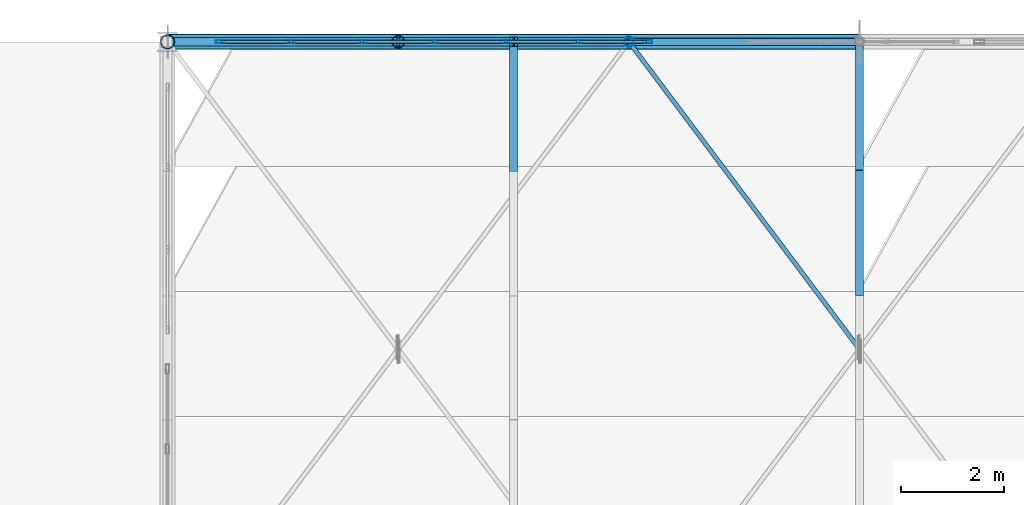
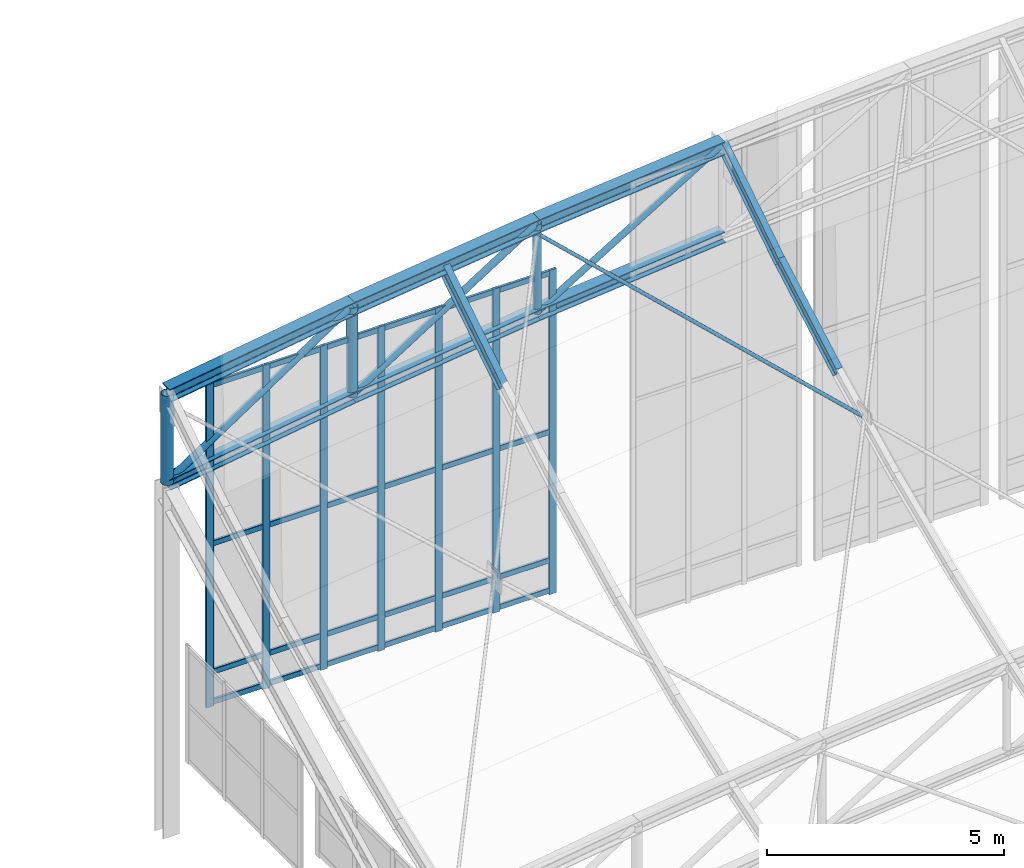
# One storey, part 187 of 262: 47 members, 1 element without a shape of its own.
"""IFC4 building model written with IfcOpenShell, lengths in metres."""

from ifc_helpers import new_model, si_unit, derived_unit, direction, frame, origin, origin_2d, place, context, subcontext, project, spatial, hollow_rectangle, hollow_circle, i_section, extrude, material, layer, layer_set, material_profile, profile_set, type_object, element, aggregate, save


model = new_model("IFC4")

# Units and contexts
model_context = context("Model", 3, precision=1e-05, world=origin(), true_north=direction((0.0, 1.0)))
body_context = subcontext(model_context, "Body", "Model", "MODEL_VIEW")
ifc_project = project(units=[si_unit("LENGTHUNIT", "METRE"), si_unit("AREAUNIT", "SQUARE_METRE"), si_unit("VOLUMEUNIT", "CUBIC_METRE"), si_unit("PLANEANGLEUNIT", "RADIAN"), si_unit("MASSUNIT", "GRAM", prefix="KILO"), derived_unit("THERMALTRANSMITTANCEUNIT", [(si_unit("POWERUNIT", "WATT"), 1), (si_unit("LENGTHUNIT", "METRE"), -2), (si_unit("THERMODYNAMICTEMPERATUREUNIT", "KELVIN"), -1)])], contexts=[model_context])

# Site, building, storey
site_placement = place(None, origin())
site = spatial("IfcSite", under=ifc_project, at=site_placement, CompositionType="ELEMENT")
building_placement = place(site_placement, origin())
building = spatial("IfcBuilding", under=site, at=building_placement, Name="Almenara Railside Exhibition Hall", CompositionType="ELEMENT")
storey_placement = place(building_placement, frame((0.0, 0.0, 21.699951171875)))
storey = spatial("IfcBuildingStorey", under=building, at=storey_placement, Name="RF", CompositionType="ELEMENT", Elevation=21.699951171875)

# Members
ifc_material_1 = material(Name="Structural steel S355JR", Category="steel")
ifc_material_profile_1 = material_profile(ifc_material_1, i_section(OverallWidth=0.280029296875, OverallDepth=0.280029296875, WebThickness=0.010498046875, FlangeThickness=0.01806640625, FilletRadius=0.02392578125, at=origin_2d()), Name="HEB 280")
ifc_profile_set_1 = profile_set([ifc_material_profile_1], Name="Structural steel S355JR")
member_type_1 = type_object("IfcMemberType", Name="Arched Gable Bottom Chord HEB 280 S355JR", PredefinedType="CHORD", material=ifc_profile_set_1)
member_1_placement = place(storey_placement, frame((12.0, 132.0, 6.60009765625), z_axis=(0.9890290442, 0.0, 0.147721189165), x_axis=(0.0, 1.0, 0.0)))
element("IfcMember", 1, at=member_1_placement, inside=storey, type_object=member_type_1, Name="MEM-BC-V1-07-00", PredefinedType="CHORD", context=body_context, shape_type="SweptSolid", body=[
    extrude(i_section(OverallWidth=0.280029296875, OverallDepth=0.280029296875, WebThickness=0.010498046875, FlangeThickness=0.01806640625, FilletRadius=0.02392578125, at=origin_2d()), origin(), (0.0, 0.0, 1.0), 4.5498046875),
])
member_2_placement = place(storey_placement, frame((16.5, 132.0, 7.272216796875), z_axis=(0.992612220818, 0.0, 0.121330041965), x_axis=(0.0, 1.0, 0.0)))
element("IfcMember", 2, at=member_2_placement, inside=storey, type_object=member_type_1, Name="MEM-BC-V1-07-01", PredefinedType="CHORD", context=body_context, shape_type="SweptSolid", body=[
    extrude(i_section(OverallWidth=0.280029296875, OverallDepth=0.280029296875, WebThickness=0.010498046875, FlangeThickness=0.01806640625, FilletRadius=0.02392578125, at=origin_2d()), origin(), (0.0, 0.0, 1.0), 4.533447265625),
])
member_3_placement = place(storey_placement, frame((21.0, 132.0, 7.822265625), z_axis=(0.995512933083, 0.0, 0.094625578275), x_axis=(0.0, 1.0, 0.0)))
element("IfcMember", 3, at=member_3_placement, inside=storey, type_object=member_type_1, Name="MEM-BC-V1-07-02", PredefinedType="CHORD", context=body_context, shape_type="SweptSolid", body=[
    extrude(i_section(OverallWidth=0.280029296875, OverallDepth=0.280029296875, WebThickness=0.010498046875, FlangeThickness=0.01806640625, FilletRadius=0.02392578125, at=origin_2d()), origin(), (0.0, 0.0, 1.0), 4.520263671875),
])
ifc_material_profile_2 = material_profile(ifc_material_1, i_section(OverallWidth=0.300048828125, OverallDepth=0.340087890625, WebThickness=0.011962890625, FlangeThickness=0.021484375, FilletRadius=0.027099609375, at=origin_2d()), Name="HEB 340")
ifc_profile_set_2 = profile_set([ifc_material_profile_2], Name="Structural steel S355JR")
member_type_2 = type_object("IfcMemberType", Name="Arched Gable Top Chord HEB 340 S355JR", PredefinedType="CHORD", material=ifc_profile_set_2)
member_4_placement = place(storey_placement, frame((12.0, 132.0, 8.900146484375), z_axis=(0.9890290442, 0.0, 0.147721189165), x_axis=(0.0, 1.0, 0.0)))
element("IfcMember", 4, at=member_4_placement, inside=storey, type_object=member_type_2, Name="MEM-TC-V1-07-00", PredefinedType="CHORD", context=body_context, shape_type="SweptSolid", body=[
    extrude(i_section(OverallWidth=0.300048828125, OverallDepth=0.340087890625, WebThickness=0.011962890625, FlangeThickness=0.021484375, FilletRadius=0.027099609375, at=origin_2d()), origin(), (0.0, 0.0, 1.0), 4.5498046875),
])
member_5_placement = place(storey_placement, frame((16.5, 132.0, 9.572265625), z_axis=(0.992612220818, 0.0, 0.121330041965), x_axis=(0.0, 1.0, 0.0)))
element("IfcMember", 5, at=member_5_placement, inside=storey, type_object=member_type_2, Name="MEM-TC-V1-07-01", PredefinedType="CHORD", context=body_context, shape_type="SweptSolid", body=[
    extrude(i_section(OverallWidth=0.300048828125, OverallDepth=0.340087890625, WebThickness=0.011962890625, FlangeThickness=0.021484375, FilletRadius=0.027099609375, at=origin_2d()), origin(), (0.0, 0.0, 1.0), 4.533447265625),
])
member_6_placement = place(storey_placement, frame((21.0, 132.0, 10.122314453125), z_axis=(0.995512933083, 0.0, 0.094625578275), x_axis=(0.0, 1.0, 0.0)))
element("IfcMember", 6, at=member_6_placement, inside=storey, type_object=member_type_2, Name="MEM-TC-V1-07-02", PredefinedType="CHORD", context=body_context, shape_type="SweptSolid", body=[
    extrude(i_section(OverallWidth=0.300048828125, OverallDepth=0.340087890625, WebThickness=0.011962890625, FlangeThickness=0.021484375, FilletRadius=0.027099609375, at=origin_2d()), origin(), (0.0, 0.0, 1.0), 4.520263671875),
])
ifc_material_profile_3 = material_profile(ifc_material_1, hollow_circle(Radius=0.04443359375, WallThickness=0.00390625, at=origin_2d()), Name="CHS 88.9x4")
ifc_profile_set_3 = profile_set([ifc_material_profile_3], Name="Structural steel S355JR")
member_type_3 = type_object("IfcMemberType", Name="Canopy Tie Brace CHS 88.9x4 S355JR", PredefinedType="BRACE", material=ifc_profile_set_3)
member_7_placement = place(storey_placement, frame((25.47265625, 126.03662109375, 7.19580078125), z_axis=(-0.565432778518, 0.7538897952, 0.334568303446), x_axis=(-0.799992139532, -0.600010480481, 0.0)))
element("IfcMember", 7, at=member_7_placement, inside=storey, type_object=member_type_3, Name="MEM-WB-V1-WB-CHS89-06-02-S2", PredefinedType="BRACE", context=body_context, shape_type="SweptSolid", body=[
    extrude(hollow_circle(Radius=0.04443359375, WallThickness=0.00390625, at=origin_2d()), origin(), (0.0, 0.0, 1.0), 7.91015625),
])

# Curtain wall, members
ifc_material_2 = material(Name="Bronze-anodised aluminium and low-E double glazing", Category="aluminium")
ifc_layer = layer(ifc_material_2, 0.179931640625, Name="Bronze-anodised aluminium and low-E double glazing")
ifc_layer_set = layer_set([ifc_layer], Name="Bronze-anodised aluminium and low-E double glazing")
curtain_wall_type = type_object("IfcCurtainWallType", Name="Scroll Gable Tall Curtain Wall 3800x5400", PredefinedType="NOTDEFINED", material=ifc_layer_set)
curtain_wall_placement = place(storey_placement, origin())
curtain_wall = element("IfcCurtainWall", 8, at=curtain_wall_placement, inside=storey, type_object=curtain_wall_type, Name="Curtain wall CW-G1-205", PredefinedType="NOTDEFINED")
ifc_material_3 = material(Name="Bronze-anodised aluminium", Category="aluminium")
ifc_material_profile_4 = material_profile(ifc_material_3, hollow_rectangle(XDim=0.06494140625, YDim=0.179931640625, WallThickness=0.00390625, InnerFilletRadius=0.00390625, OuterFilletRadius=0.008056640625, at=origin_2d()), Name="ALU-MUL 65x180x4")
ifc_profile_set_4 = profile_set([ifc_material_profile_4], Name="Bronze-anodised aluminium")
member_type_4 = type_object("IfcMemberType", Name="Curtain Wall Mullion 65x180x4", PredefinedType="MULLION", material=ifc_profile_set_4)
member_8_placement = place(storey_placement, frame((13.032470703125, 132.0, 0.465087890625), z_axis=(0.0, 0.0, 1.0), x_axis=(0.0, 1.0, 0.0)))
member_8 = element("IfcMember", 9, at=member_8_placement, type_object=member_type_4, Name="CW-G1-205 mullion 1", PredefinedType="MULLION", context=body_context, shape_type="SweptSolid", body=[
    extrude(hollow_rectangle(XDim=0.06494140625, YDim=0.179931640625, WallThickness=0.00390625, InnerFilletRadius=0.00390625, OuterFilletRadius=0.008056640625, at=origin_2d()), origin(), (0.0, 0.0, 1.0), 8.3349609375),
])
member_9_placement = place(storey_placement, frame((14.39990234375, 132.0, 0.465087890625), z_axis=(0.0, 0.0, 1.0), x_axis=(0.0, 1.0, 0.0)))
member_9 = element("IfcMember", 10, at=member_9_placement, type_object=member_type_4, Name="CW-G1-205 mullion 2", PredefinedType="MULLION", context=body_context, shape_type="SweptSolid", body=[
    extrude(hollow_rectangle(XDim=0.06494140625, YDim=0.179931640625, WallThickness=0.00390625, InnerFilletRadius=0.00390625, OuterFilletRadius=0.008056640625, at=origin_2d()), origin(), (0.0, 0.0, 1.0), 8.3349609375),
])
member_10_placement = place(storey_placement, frame((15.800048828125, 132.0, 0.465087890625), z_axis=(0.0, 0.0, 1.0), x_axis=(0.0, 1.0, 0.0)))
member_10 = element("IfcMember", 11, at=member_10_placement, type_object=member_type_4, Name="CW-G1-205 mullion 3", PredefinedType="MULLION", context=body_context, shape_type="SweptSolid", body=[
    extrude(hollow_rectangle(XDim=0.06494140625, YDim=0.179931640625, WallThickness=0.00390625, InnerFilletRadius=0.00390625, OuterFilletRadius=0.008056640625, at=origin_2d()), origin(), (0.0, 0.0, 1.0), 8.3349609375),
])
member_11_placement = place(storey_placement, frame((17.199951171875, 132.0, 0.465087890625), z_axis=(0.0, 0.0, 1.0), x_axis=(0.0, 1.0, 0.0)))
member_11 = element("IfcMember", 12, at=member_11_placement, type_object=member_type_4, Name="CW-G1-205 mullion 4", PredefinedType="MULLION", context=body_context, shape_type="SweptSolid", body=[
    extrude(hollow_rectangle(XDim=0.06494140625, YDim=0.179931640625, WallThickness=0.00390625, InnerFilletRadius=0.00390625, OuterFilletRadius=0.008056640625, at=origin_2d()), origin(), (0.0, 0.0, 1.0), 8.3349609375),
])
member_12_placement = place(storey_placement, frame((18.60009765625, 132.0, 0.465087890625), z_axis=(0.0, 0.0, 1.0), x_axis=(0.0, 1.0, 0.0)))
member_12 = element("IfcMember", 13, at=member_12_placement, type_object=member_type_4, Name="CW-G1-205 mullion 5", PredefinedType="MULLION", context=body_context, shape_type="SweptSolid", body=[
    extrude(hollow_rectangle(XDim=0.06494140625, YDim=0.179931640625, WallThickness=0.00390625, InnerFilletRadius=0.00390625, OuterFilletRadius=0.008056640625, at=origin_2d()), origin(), (0.0, 0.0, 1.0), 8.3349609375),
])
member_13_placement = place(storey_placement, frame((20.0, 132.0, 0.465087890625), z_axis=(0.0, 0.0, 1.0), x_axis=(0.0, 1.0, 0.0)))
member_13 = element("IfcMember", 14, at=member_13_placement, type_object=member_type_4, Name="CW-G1-205 mullion 6", PredefinedType="MULLION", context=body_context, shape_type="SweptSolid", body=[
    extrude(hollow_rectangle(XDim=0.06494140625, YDim=0.179931640625, WallThickness=0.00390625, InnerFilletRadius=0.00390625, OuterFilletRadius=0.008056640625, at=origin_2d()), origin(), (0.0, 0.0, 1.0), 8.3349609375),
])
member_14_placement = place(storey_placement, frame((21.367431640625, 132.0, 0.465087890625), z_axis=(0.0, 0.0, 1.0), x_axis=(0.0, 1.0, 0.0)))
member_14 = element("IfcMember", 15, at=member_14_placement, type_object=member_type_4, Name="CW-G1-205 mullion 7", PredefinedType="MULLION", context=body_context, shape_type="SweptSolid", body=[
    extrude(hollow_rectangle(XDim=0.06494140625, YDim=0.179931640625, WallThickness=0.00390625, InnerFilletRadius=0.00390625, OuterFilletRadius=0.008056640625, at=origin_2d()), origin(), (0.0, 0.0, 1.0), 8.3349609375),
])
ifc_material_profile_5 = material_profile(ifc_material_3, hollow_rectangle(XDim=0.06494140625, YDim=0.139892578125, WallThickness=0.00341796875, InnerFilletRadius=0.00341796875, OuterFilletRadius=0.007080078125, at=origin_2d()), Name="ALU-TRN 65x140x3.5")
ifc_profile_set_5 = profile_set([ifc_material_profile_5], Name="Bronze-anodised aluminium")
member_type_5 = type_object("IfcMemberType", Name="Curtain Wall Transom 65x140x3.5", PredefinedType="USERDEFINED", material=ifc_profile_set_5)
member_15_placement = place(storey_placement, frame((13.056884765625, 132.0, 0.570068359375), z_axis=(1.0, 0.0, 0.0), x_axis=(0.0, 1.0, 0.0)))
member_15 = element("IfcMember", 16, at=member_15_placement, type_object=member_type_5, Name="CW-G1-205 transom 1.1", ObjectType="TRANSOM", PredefinedType="USERDEFINED", context=body_context, shape_type="SweptSolid", body=[
    extrude(hollow_rectangle(XDim=0.06494140625, YDim=0.139892578125, WallThickness=0.00341796875, InnerFilletRadius=0.00341796875, OuterFilletRadius=0.007080078125, at=origin_2d()), origin(), (0.0, 0.0, 1.0), 1.318603515625),
])
member_16_placement = place(storey_placement, frame((13.056884765625, 132.0, 1.35009765625), z_axis=(1.0, 0.0, 0.0), x_axis=(0.0, 1.0, 0.0)))
member_16 = element("IfcMember", 17, at=member_16_placement, type_object=member_type_5, Name="CW-G1-205 transom 1.2", ObjectType="TRANSOM", PredefinedType="USERDEFINED", context=body_context, shape_type="SweptSolid", body=[
    extrude(hollow_rectangle(XDim=0.06494140625, YDim=0.139892578125, WallThickness=0.00341796875, InnerFilletRadius=0.00341796875, OuterFilletRadius=0.007080078125, at=origin_2d()), origin(), (0.0, 0.0, 1.0), 1.318603515625),
])
member_17_placement = place(storey_placement, frame((13.056884765625, 132.0, 4.650146484375), z_axis=(1.0, 0.0, 0.0), x_axis=(0.0, 1.0, 0.0)))
member_17 = element("IfcMember", 18, at=member_17_placement, type_object=member_type_5, Name="CW-G1-205 transom 1.3", ObjectType="TRANSOM", PredefinedType="USERDEFINED", context=body_context, shape_type="SweptSolid", body=[
    extrude(hollow_rectangle(XDim=0.06494140625, YDim=0.139892578125, WallThickness=0.00341796875, InnerFilletRadius=0.00341796875, OuterFilletRadius=0.007080078125, at=origin_2d()), origin(), (0.0, 0.0, 1.0), 1.318603515625),
])
member_18_placement = place(storey_placement, frame((13.056884765625, 132.0, 8.72998046875), z_axis=(1.0, 0.0, 0.0), x_axis=(0.0, 1.0, 0.0)))
member_18 = element("IfcMember", 19, at=member_18_placement, type_object=member_type_5, Name="CW-G1-205 transom 1.4", ObjectType="TRANSOM", PredefinedType="USERDEFINED", context=body_context, shape_type="SweptSolid", body=[
    extrude(hollow_rectangle(XDim=0.06494140625, YDim=0.139892578125, WallThickness=0.00341796875, InnerFilletRadius=0.00341796875, OuterFilletRadius=0.007080078125, at=origin_2d()), origin(), (0.0, 0.0, 1.0), 1.318603515625),
])
member_19_placement = place(storey_placement, frame((14.424560546875, 132.0, 0.570068359375), z_axis=(1.0, 0.0, 0.0), x_axis=(0.0, 1.0, 0.0)))
member_19 = element("IfcMember", 20, at=member_19_placement, type_object=member_type_5, Name="CW-G1-205 transom 2.1", ObjectType="TRANSOM", PredefinedType="USERDEFINED", context=body_context, shape_type="SweptSolid", body=[
    extrude(hollow_rectangle(XDim=0.06494140625, YDim=0.139892578125, WallThickness=0.00341796875, InnerFilletRadius=0.00341796875, OuterFilletRadius=0.007080078125, at=origin_2d()), origin(), (0.0, 0.0, 1.0), 1.350830078125),
])
member_20_placement = place(storey_placement, frame((14.424560546875, 132.0, 1.35009765625), z_axis=(1.0, 0.0, 0.0), x_axis=(0.0, 1.0, 0.0)))
member_20 = element("IfcMember", 21, at=member_20_placement, type_object=member_type_5, Name="CW-G1-205 transom 2.2", ObjectType="TRANSOM", PredefinedType="USERDEFINED", context=body_context, shape_type="SweptSolid", body=[
    extrude(hollow_rectangle(XDim=0.06494140625, YDim=0.139892578125, WallThickness=0.00341796875, InnerFilletRadius=0.00341796875, OuterFilletRadius=0.007080078125, at=origin_2d()), origin(), (0.0, 0.0, 1.0), 1.350830078125),
])
member_21_placement = place(storey_placement, frame((14.424560546875, 132.0, 4.650146484375), z_axis=(1.0, 0.0, 0.0), x_axis=(0.0, 1.0, 0.0)))
member_21 = element("IfcMember", 22, at=member_21_placement, type_object=member_type_5, Name="CW-G1-205 transom 2.3", ObjectType="TRANSOM", PredefinedType="USERDEFINED", context=body_context, shape_type="SweptSolid", body=[
    extrude(hollow_rectangle(XDim=0.06494140625, YDim=0.139892578125, WallThickness=0.00341796875, InnerFilletRadius=0.00341796875, OuterFilletRadius=0.007080078125, at=origin_2d()), origin(), (0.0, 0.0, 1.0), 1.350830078125),
])
member_22_placement = place(storey_placement, frame((14.424560546875, 132.0, 8.72998046875), z_axis=(1.0, 0.0, 0.0), x_axis=(0.0, 1.0, 0.0)))
member_22 = element("IfcMember", 23, at=member_22_placement, type_object=member_type_5, Name="CW-G1-205 transom 2.4", ObjectType="TRANSOM", PredefinedType="USERDEFINED", context=body_context, shape_type="SweptSolid", body=[
    extrude(hollow_rectangle(XDim=0.06494140625, YDim=0.139892578125, WallThickness=0.00341796875, InnerFilletRadius=0.00341796875, OuterFilletRadius=0.007080078125, at=origin_2d()), origin(), (0.0, 0.0, 1.0), 1.350830078125),
])
member_23_placement = place(storey_placement, frame((15.824462890625, 132.0, 0.570068359375), z_axis=(1.0, 0.0, 0.0), x_axis=(0.0, 1.0, 0.0)))
member_23 = element("IfcMember", 24, at=member_23_placement, type_object=member_type_5, Name="CW-G1-205 transom 3.1", ObjectType="TRANSOM", PredefinedType="USERDEFINED", context=body_context, shape_type="SweptSolid", body=[
    extrude(hollow_rectangle(XDim=0.06494140625, YDim=0.139892578125, WallThickness=0.00341796875, InnerFilletRadius=0.00341796875, OuterFilletRadius=0.007080078125, at=origin_2d()), origin(), (0.0, 0.0, 1.0), 1.35107421875),
])
member_24_placement = place(storey_placement, frame((15.824462890625, 132.0, 1.35009765625), z_axis=(1.0, 0.0, 0.0), x_axis=(0.0, 1.0, 0.0)))
member_24 = element("IfcMember", 25, at=member_24_placement, type_object=member_type_5, Name="CW-G1-205 transom 3.2", ObjectType="TRANSOM", PredefinedType="USERDEFINED", context=body_context, shape_type="SweptSolid", body=[
    extrude(hollow_rectangle(XDim=0.06494140625, YDim=0.139892578125, WallThickness=0.00341796875, InnerFilletRadius=0.00341796875, OuterFilletRadius=0.007080078125, at=origin_2d()), origin(), (0.0, 0.0, 1.0), 1.35107421875),
])
member_25_placement = place(storey_placement, frame((15.824462890625, 132.0, 4.650146484375), z_axis=(1.0, 0.0, 0.0), x_axis=(0.0, 1.0, 0.0)))
member_25 = element("IfcMember", 26, at=member_25_placement, type_object=member_type_5, Name="CW-G1-205 transom 3.3", ObjectType="TRANSOM", PredefinedType="USERDEFINED", context=body_context, shape_type="SweptSolid", body=[
    extrude(hollow_rectangle(XDim=0.06494140625, YDim=0.139892578125, WallThickness=0.00341796875, InnerFilletRadius=0.00341796875, OuterFilletRadius=0.007080078125, at=origin_2d()), origin(), (0.0, 0.0, 1.0), 1.35107421875),
])
member_26_placement = place(storey_placement, frame((15.824462890625, 132.0, 8.72998046875), z_axis=(1.0, 0.0, 0.0), x_axis=(0.0, 1.0, 0.0)))
member_26 = element("IfcMember", 27, at=member_26_placement, type_object=member_type_5, Name="CW-G1-205 transom 3.4", ObjectType="TRANSOM", PredefinedType="USERDEFINED", context=body_context, shape_type="SweptSolid", body=[
    extrude(hollow_rectangle(XDim=0.06494140625, YDim=0.139892578125, WallThickness=0.00341796875, InnerFilletRadius=0.00341796875, OuterFilletRadius=0.007080078125, at=origin_2d()), origin(), (0.0, 0.0, 1.0), 1.35107421875),
])
member_27_placement = place(storey_placement, frame((17.224609375, 132.0, 0.570068359375), z_axis=(1.0, 0.0, 0.0), x_axis=(0.0, 1.0, 0.0)))
member_27 = element("IfcMember", 28, at=member_27_placement, type_object=member_type_5, Name="CW-G1-205 transom 4.1", ObjectType="TRANSOM", PredefinedType="USERDEFINED", context=body_context, shape_type="SweptSolid", body=[
    extrude(hollow_rectangle(XDim=0.06494140625, YDim=0.139892578125, WallThickness=0.00341796875, InnerFilletRadius=0.00341796875, OuterFilletRadius=0.007080078125, at=origin_2d()), origin(), (0.0, 0.0, 1.0), 1.350830078125),
])
member_28_placement = place(storey_placement, frame((17.224609375, 132.0, 1.35009765625), z_axis=(1.0, 0.0, 0.0), x_axis=(0.0, 1.0, 0.0)))
member_28 = element("IfcMember", 29, at=member_28_placement, type_object=member_type_5, Name="CW-G1-205 transom 4.2", ObjectType="TRANSOM", PredefinedType="USERDEFINED", context=body_context, shape_type="SweptSolid", body=[
    extrude(hollow_rectangle(XDim=0.06494140625, YDim=0.139892578125, WallThickness=0.00341796875, InnerFilletRadius=0.00341796875, OuterFilletRadius=0.007080078125, at=origin_2d()), origin(), (0.0, 0.0, 1.0), 1.350830078125),
])
member_29_placement = place(storey_placement, frame((17.224609375, 132.0, 4.650146484375), z_axis=(1.0, 0.0, 0.0), x_axis=(0.0, 1.0, 0.0)))
member_29 = element("IfcMember", 30, at=member_29_placement, type_object=member_type_5, Name="CW-G1-205 transom 4.3", ObjectType="TRANSOM", PredefinedType="USERDEFINED", context=body_context, shape_type="SweptSolid", body=[
    extrude(hollow_rectangle(XDim=0.06494140625, YDim=0.139892578125, WallThickness=0.00341796875, InnerFilletRadius=0.00341796875, OuterFilletRadius=0.007080078125, at=origin_2d()), origin(), (0.0, 0.0, 1.0), 1.350830078125),
])
member_30_placement = place(storey_placement, frame((17.224609375, 132.0, 8.72998046875), z_axis=(1.0, 0.0, 0.0), x_axis=(0.0, 1.0, 0.0)))
member_30 = element("IfcMember", 31, at=member_30_placement, type_object=member_type_5, Name="CW-G1-205 transom 4.4", ObjectType="TRANSOM", PredefinedType="USERDEFINED", context=body_context, shape_type="SweptSolid", body=[
    extrude(hollow_rectangle(XDim=0.06494140625, YDim=0.139892578125, WallThickness=0.00341796875, InnerFilletRadius=0.00341796875, OuterFilletRadius=0.007080078125, at=origin_2d()), origin(), (0.0, 0.0, 1.0), 1.350830078125),
])
member_31_placement = place(storey_placement, frame((18.62451171875, 132.0, 0.570068359375), z_axis=(1.0, 0.0, 0.0), x_axis=(0.0, 1.0, 0.0)))
member_31 = element("IfcMember", 32, at=member_31_placement, type_object=member_type_5, Name="CW-G1-205 transom 5.1", ObjectType="TRANSOM", PredefinedType="USERDEFINED", context=body_context, shape_type="SweptSolid", body=[
    extrude(hollow_rectangle(XDim=0.06494140625, YDim=0.139892578125, WallThickness=0.00341796875, InnerFilletRadius=0.00341796875, OuterFilletRadius=0.007080078125, at=origin_2d()), origin(), (0.0, 0.0, 1.0), 1.35107421875),
])
member_32_placement = place(storey_placement, frame((18.62451171875, 132.0, 1.35009765625), z_axis=(1.0, 0.0, 0.0), x_axis=(0.0, 1.0, 0.0)))
member_32 = element("IfcMember", 33, at=member_32_placement, type_object=member_type_5, Name="CW-G1-205 transom 5.2", ObjectType="TRANSOM", PredefinedType="USERDEFINED", context=body_context, shape_type="SweptSolid", body=[
    extrude(hollow_rectangle(XDim=0.06494140625, YDim=0.139892578125, WallThickness=0.00341796875, InnerFilletRadius=0.00341796875, OuterFilletRadius=0.007080078125, at=origin_2d()), origin(), (0.0, 0.0, 1.0), 1.35107421875),
])
member_33_placement = place(storey_placement, frame((18.62451171875, 132.0, 4.650146484375), z_axis=(1.0, 0.0, 0.0), x_axis=(0.0, 1.0, 0.0)))
member_33 = element("IfcMember", 34, at=member_33_placement, type_object=member_type_5, Name="CW-G1-205 transom 5.3", ObjectType="TRANSOM", PredefinedType="USERDEFINED", context=body_context, shape_type="SweptSolid", body=[
    extrude(hollow_rectangle(XDim=0.06494140625, YDim=0.139892578125, WallThickness=0.00341796875, InnerFilletRadius=0.00341796875, OuterFilletRadius=0.007080078125, at=origin_2d()), origin(), (0.0, 0.0, 1.0), 1.35107421875),
])
member_34_placement = place(storey_placement, frame((18.62451171875, 132.0, 8.72998046875), z_axis=(1.0, 0.0, 0.0), x_axis=(0.0, 1.0, 0.0)))
member_34 = element("IfcMember", 35, at=member_34_placement, type_object=member_type_5, Name="CW-G1-205 transom 5.4", ObjectType="TRANSOM", PredefinedType="USERDEFINED", context=body_context, shape_type="SweptSolid", body=[
    extrude(hollow_rectangle(XDim=0.06494140625, YDim=0.139892578125, WallThickness=0.00341796875, InnerFilletRadius=0.00341796875, OuterFilletRadius=0.007080078125, at=origin_2d()), origin(), (0.0, 0.0, 1.0), 1.35107421875),
])
member_35_placement = place(storey_placement, frame((20.0244140625, 132.0, 0.570068359375), z_axis=(1.0, 0.0, 0.0), x_axis=(0.0, 1.0, 0.0)))
member_35 = element("IfcMember", 36, at=member_35_placement, type_object=member_type_5, Name="CW-G1-205 transom 6.1", ObjectType="TRANSOM", PredefinedType="USERDEFINED", context=body_context, shape_type="SweptSolid", body=[
    extrude(hollow_rectangle(XDim=0.06494140625, YDim=0.139892578125, WallThickness=0.00341796875, InnerFilletRadius=0.00341796875, OuterFilletRadius=0.007080078125, at=origin_2d()), origin(), (0.0, 0.0, 1.0), 1.318603515625),
])
member_36_placement = place(storey_placement, frame((20.0244140625, 132.0, 1.35009765625), z_axis=(1.0, 0.0, 0.0), x_axis=(0.0, 1.0, 0.0)))
member_36 = element("IfcMember", 37, at=member_36_placement, type_object=member_type_5, Name="CW-G1-205 transom 6.2", ObjectType="TRANSOM", PredefinedType="USERDEFINED", context=body_context, shape_type="SweptSolid", body=[
    extrude(hollow_rectangle(XDim=0.06494140625, YDim=0.139892578125, WallThickness=0.00341796875, InnerFilletRadius=0.00341796875, OuterFilletRadius=0.007080078125, at=origin_2d()), origin(), (0.0, 0.0, 1.0), 1.318603515625),
])
member_37_placement = place(storey_placement, frame((20.0244140625, 132.0, 4.650146484375), z_axis=(1.0, 0.0, 0.0), x_axis=(0.0, 1.0, 0.0)))
member_37 = element("IfcMember", 38, at=member_37_placement, type_object=member_type_5, Name="CW-G1-205 transom 6.3", ObjectType="TRANSOM", PredefinedType="USERDEFINED", context=body_context, shape_type="SweptSolid", body=[
    extrude(hollow_rectangle(XDim=0.06494140625, YDim=0.139892578125, WallThickness=0.00341796875, InnerFilletRadius=0.00341796875, OuterFilletRadius=0.007080078125, at=origin_2d()), origin(), (0.0, 0.0, 1.0), 1.318603515625),
])
member_38_placement = place(storey_placement, frame((20.0244140625, 132.0, 8.72998046875), z_axis=(1.0, 0.0, 0.0), x_axis=(0.0, 1.0, 0.0)))
member_38 = element("IfcMember", 39, at=member_38_placement, type_object=member_type_5, Name="CW-G1-205 transom 6.4", ObjectType="TRANSOM", PredefinedType="USERDEFINED", context=body_context, shape_type="SweptSolid", body=[
    extrude(hollow_rectangle(XDim=0.06494140625, YDim=0.139892578125, WallThickness=0.00341796875, InnerFilletRadius=0.00341796875, OuterFilletRadius=0.007080078125, at=origin_2d()), origin(), (0.0, 0.0, 1.0), 1.318603515625),
])
aggregate(curtain_wall, [member_8, member_9, member_10, member_11, member_12, member_13, member_14, member_15, member_16, member_17, member_18, member_19, member_20, member_21, member_22, member_23, member_24, member_25, member_26, member_27, member_28, member_29, member_30, member_31, member_32, member_33, member_34, member_35, member_36, member_37, member_38])

# Members
ifc_material_profile_6 = material_profile(ifc_material_1, i_section(OverallWidth=0.14990234375, OverallDepth=0.300048828125, WebThickness=0.007080078125, FlangeThickness=0.0107421875, FilletRadius=0.014892578125, at=origin_2d()), Name="IPE 300")
ifc_profile_set_6 = profile_set([ifc_material_profile_6], Name="Structural steel S355JR")
member_type_6 = type_object("IfcMemberType", Name="East Hall Ridge Purlin IPE 300 S355JR", PredefinedType="PURLIN", material=ifc_profile_set_6)
member_39_placement = place(storey_placement, frame((25.5, 127.126708984375, 7.66552734375), z_axis=(0.0, 0.870445855666, 0.492264169277), x_axis=(-1.0, 0.0, 0.0)))
element("IfcMember", 40, at=member_39_placement, inside=storey, type_object=member_type_6, Name="MEM-PR-V1-PR-IPE300-02-26", PredefinedType="PURLIN", context=body_context, shape_type="SweptSolid", body=[
    extrude(i_section(OverallWidth=0.14990234375, OverallDepth=0.300048828125, WebThickness=0.007080078125, FlangeThickness=0.0107421875, FilletRadius=0.014892578125, at=origin_2d()), origin(), (0.0, 0.0, 1.0), 2.799072265625),
])
member_40_placement = place(storey_placement, frame((25.5, 129.563232421875, 9.030517578125), z_axis=(0.0, 0.842226955435, 0.539123135785), x_axis=(-1.0, 0.0, 0.0)))
element("IfcMember", 41, at=member_40_placement, inside=storey, type_object=member_type_6, Name="MEM-PR-V1-PR-IPE300-02-27", PredefinedType="PURLIN", context=body_context, shape_type="SweptSolid", body=[
    extrude(i_section(OverallWidth=0.14990234375, OverallDepth=0.300048828125, WebThickness=0.007080078125, FlangeThickness=0.0107421875, FilletRadius=0.014892578125, at=origin_2d()), origin(), (0.0, 0.0, 1.0), 2.893310546875),
])
ifc_material_profile_7 = material_profile(ifc_material_1, i_section(OverallWidth=0.159912109375, OverallDepth=0.330078125, WebThickness=0.007568359375, FlangeThickness=0.011474609375, FilletRadius=0.01806640625, at=origin_2d()), Name="IPE 330")
ifc_profile_set_7 = profile_set([ifc_material_profile_7], Name="Structural steel S355JR")
member_type_7 = type_object("IfcMemberType", Name="Gable Bay Purlin IPE 330 S355JR", PredefinedType="PURLIN", material=ifc_profile_set_7)
member_41_placement = place(storey_placement, frame((18.75, 129.563232421875, 8.184326171875), z_axis=(0.0, 0.842265270347, 0.53906327492), x_axis=(-1.0, 0.0, 0.0)))
element("IfcMember", 42, at=member_41_placement, inside=storey, type_object=member_type_7, Name="MEM-PR-V1-PR-IPE330-01-27", PredefinedType="PURLIN", context=body_context, shape_type="SweptSolid", body=[
    extrude(i_section(OverallWidth=0.159912109375, OverallDepth=0.330078125, WebThickness=0.007568359375, FlangeThickness=0.011474609375, FilletRadius=0.01806640625, at=origin_2d()), origin(), (0.0, 0.0, 1.0), 2.89306640625),
])
ifc_material_profile_8 = material_profile(ifc_material_1, hollow_circle(Radius=0.084228515625, WallThickness=0.006103515625, at=origin_2d()), Name="CHS 168.3x6")
ifc_profile_set_8 = profile_set([ifc_material_profile_8], Name="Structural steel S355JR")
member_type_8 = type_object("IfcMemberType", Name="Truss End Diagonal CHS 168.3x6 S355JR", PredefinedType="BRACE", material=ifc_profile_set_8)
member_42_placement = place(storey_placement, frame((12.0, 132.0, 6.60009765625), z_axis=(0.834424544227, 0.0, 0.551122200598), x_axis=(0.0, 1.0, 0.0)))
element("IfcMember", 43, at=member_42_placement, inside=storey, type_object=member_type_8, Name="MEM-TD-V1-07-00", PredefinedType="BRACE", context=body_context, shape_type="SweptSolid", body=[
    extrude(hollow_circle(Radius=0.084228515625, WallThickness=0.006103515625, at=origin_2d()), origin(), (0.0, 0.0, 1.0), 5.392822265625),
])
member_43_placement = place(storey_placement, frame((16.5, 132.0, 7.272216796875), z_axis=(0.844810788273, 0.0, 0.535065166141), x_axis=(0.0, 1.0, 0.0)))
element("IfcMember", 44, at=member_43_placement, inside=storey, type_object=member_type_8, Name="MEM-TD-V1-07-01", PredefinedType="BRACE", context=body_context, shape_type="SweptSolid", body=[
    extrude(hollow_circle(Radius=0.084228515625, WallThickness=0.006103515625, at=origin_2d()), origin(), (0.0, 0.0, 1.0), 5.32666015625),
])
ifc_material_profile_9 = material_profile(ifc_material_1, hollow_circle(Radius=0.122314453125, WallThickness=0.008056640625, at=origin_2d()), Name="CHS 244.5x8")
ifc_profile_set_9 = profile_set([ifc_material_profile_9], Name="Structural steel S355JR")
member_type_9 = type_object("IfcMemberType", Name="Truss Haunch Vertical Strut CHS 244.5x8 S355JR", PredefinedType="BRACE", material=ifc_profile_set_9)
member_44_placement = place(storey_placement, frame((16.5, 132.0, 7.272216796875), z_axis=(0.0, 0.0, 1.0), x_axis=(1.0, 0.0, 0.0)))
element("IfcMember", 45, at=member_44_placement, inside=storey, type_object=member_type_9, Name="MEM-TV-V1-07-01", PredefinedType="BRACE", context=body_context, shape_type="SweptSolid", body=[
    extrude(hollow_circle(Radius=0.122314453125, WallThickness=0.008056640625, at=origin_2d()), origin(), (0.0, 0.0, 1.0), 2.300048828125),
])
ifc_material_profile_10 = material_profile(ifc_material_1, hollow_circle(Radius=0.076171875, WallThickness=0.0048828125, at=origin_2d()), Name="CHS 152.4x5")
ifc_profile_set_10 = profile_set([ifc_material_profile_10], Name="Structural steel S355JR")
member_type_10 = type_object("IfcMemberType", Name="Truss Mid Diagonal CHS 152.4x5 S355JR", PredefinedType="BRACE", material=ifc_profile_set_10)
member_45_placement = place(storey_placement, frame((21.0, 132.0, 7.822265625), z_axis=(0.855154829777, 0.0, 0.518372662386), x_axis=(0.0, 1.0, 0.0)))
element("IfcMember", 46, at=member_45_placement, inside=storey, type_object=member_type_10, Name="MEM-TD-V1-07-02", PredefinedType="BRACE", context=body_context, shape_type="SweptSolid", body=[
    extrude(hollow_circle(Radius=0.076171875, WallThickness=0.0048828125, at=origin_2d()), origin(), (0.0, 0.0, 1.0), 5.26220703125),
])
ifc_material_profile_11 = material_profile(ifc_material_1, hollow_circle(Radius=0.096923828125, WallThickness=0.00634765625, at=origin_2d()), Name="CHS 193.7x6.3")
ifc_profile_set_11 = profile_set([ifc_material_profile_11], Name="Structural steel S355JR")
member_type_11 = type_object("IfcMemberType", Name="Truss Standard Vertical Strut CHS 193.7x6.3 S355JR", PredefinedType="BRACE", material=ifc_profile_set_11)
member_46_placement = place(storey_placement, frame((21.0, 132.0, 7.822265625), z_axis=(0.0, 0.0, 1.0), x_axis=(1.0, 0.0, 0.0)))
element("IfcMember", 47, at=member_46_placement, inside=storey, type_object=member_type_11, Name="MEM-TV-V1-07-02", PredefinedType="BRACE", context=body_context, shape_type="SweptSolid", body=[
    extrude(hollow_circle(Radius=0.096923828125, WallThickness=0.00634765625, at=origin_2d()), origin(), (0.0, 0.0, 1.0), 2.300048828125),
])
ifc_material_profile_12 = material_profile(ifc_material_1, hollow_circle(Radius=0.136474609375, WallThickness=0.008056640625, at=origin_2d()), Name="CHS 273x8")
ifc_profile_set_12 = profile_set([ifc_material_profile_12], Name="Structural steel S355JR")
member_type_12 = type_object("IfcMemberType", Name="Truss Support Vertical Strut CHS 273x8 S355JR", PredefinedType="BRACE", material=ifc_profile_set_12)
member_47_placement = place(storey_placement, frame((12.0, 132.0, 6.60009765625), z_axis=(0.0, 0.0, 1.0), x_axis=(1.0, 0.0, 0.0)))
element("IfcMember", 48, at=member_47_placement, inside=storey, type_object=member_type_12, Name="MEM-TV-V1-07-00", PredefinedType="BRACE", context=body_context, shape_type="SweptSolid", body=[
    extrude(hollow_circle(Radius=0.136474609375, WallThickness=0.008056640625, at=origin_2d()), origin(), (0.0, 0.0, 1.0), 2.300048828125),
])

save(model, "model.ifc")
